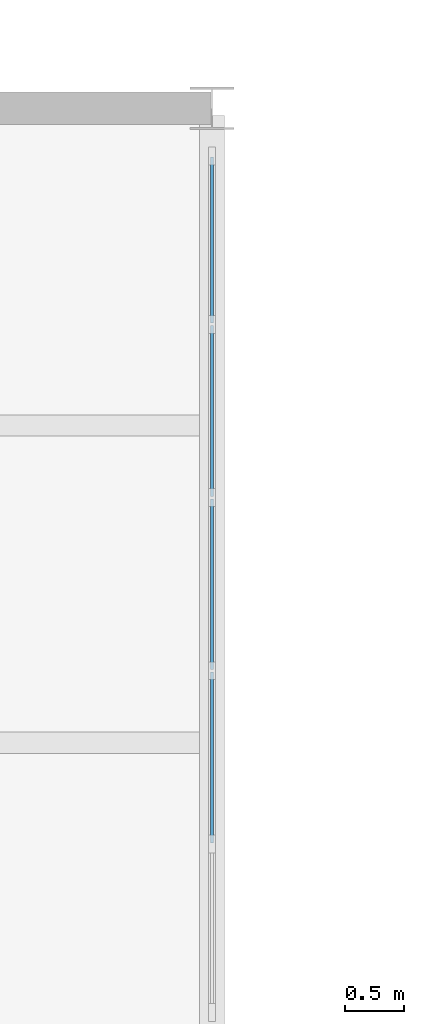
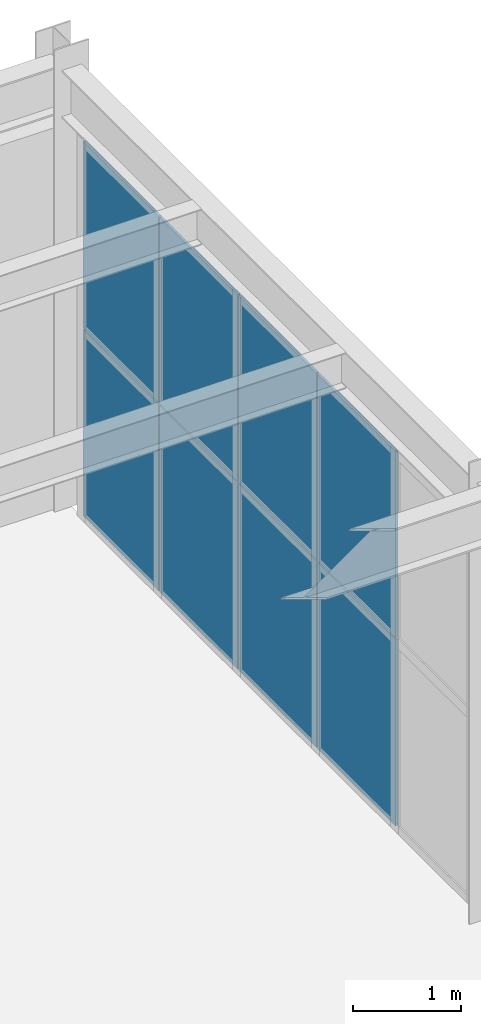
# One storey, part 52 of 77: 8 plates, 1 element without a shape of its own.
"""IFC4 building model written with IfcOpenShell, lengths in metres."""

from ifc_helpers import new_model, si_unit, direction, frame, origin, origin_2d, place, context, subcontext, project, spatial, rectangle, extrude, material, layer, layer_set, type_object, element, aggregate, save


model = new_model("IFC4")

# Units and contexts
model_context = context("Model", 3, precision=1e-05, world=origin(), true_north=direction((0.0, 1.0)))
body_context = subcontext(model_context, "Body", "Model", "MODEL_VIEW")
ifc_project = project(units=[si_unit("LENGTHUNIT", "METRE"), si_unit("AREAUNIT", "SQUARE_METRE"), si_unit("VOLUMEUNIT", "CUBIC_METRE"), si_unit("PLANEANGLEUNIT", "RADIAN"), si_unit("MASSUNIT", "GRAM", prefix="KILO")], contexts=[model_context])

# Site, building, storey
site_placement = place(None, origin())
site = spatial("IfcSite", under=ifc_project, at=site_placement, CompositionType="ELEMENT")
building_placement = place(site_placement, origin())
building = spatial("IfcBuilding", under=site, at=building_placement, Name="Drelvath Fold Interchange", CompositionType="ELEMENT")
storey_placement = place(building_placement, frame((0.0, 0.0, 6.0)))
storey = spatial("IfcBuildingStorey", under=building, at=storey_placement, Name="L01", CompositionType="ELEMENT", Elevation=6.0)

# Curtain wall, plates
ifc_material_1 = material(Name="Anodized Aluminium 6063-T6", Category="aluminium")
curtain_wall_type = type_object("IfcCurtainWallType", Name="CW-CYC-430", PredefinedType="USERDEFINED", material=ifc_material_1)
curtain_wall_placement = place(storey_placement, origin())
curtain_wall = element("IfcCurtainWall", 1, at=curtain_wall_placement, inside=storey, type_object=curtain_wall_type, Name="Curtain wall CW-CYC-L01-E99", ObjectType="UNITISED CURTAIN WALL", PredefinedType="USERDEFINED")
ifc_material_2 = material(Name="Low-Iron Insulated Laminated Glass", Category="glass")
ifc_layer = layer(ifc_material_2, 0.028076171875, Name="Low-Iron Insulated Laminated Glass")
ifc_layer_set = layer_set([ifc_layer], Name="Low-Iron Insulated Laminated Glass")
plate_type = type_object("IfcPlateType", Name="CP-CYC-A", PredefinedType="CURTAIN_PANEL", material=ifc_layer_set)
plate_1_placement = place(storey_placement, frame((142.0, 101.5439453125, 0.0400390625), z_axis=(0.0, 0.0, 1.0), x_axis=(0.0, 1.0, 0.0)))
plate_1 = element("IfcPlate", 2, at=plate_1_placement, type_object=plate_type, Name="CW-CYC-L01-E99 glazed panel 1-0", PredefinedType="CURTAIN_PANEL", context=body_context, shape_type="SweptSolid", body=[
    extrude(rectangle(XDim=1.43603515625, YDim=0.028076171875, at=origin_2d()), origin(), (0.0, 0.0, 1.0), 2.10009765625),
])
plate_2_placement = place(storey_placement, frame((142.0, 101.5439453125, 2.159912109375), z_axis=(0.0, 0.0, 1.0), x_axis=(0.0, 1.0, 0.0)))
plate_2 = element("IfcPlate", 3, at=plate_2_placement, type_object=plate_type, Name="CW-CYC-L01-E99 glazed panel 1-1", PredefinedType="CURTAIN_PANEL", context=body_context, shape_type="SweptSolid", body=[
    extrude(rectangle(XDim=1.43603515625, YDim=0.028076171875, at=origin_2d()), origin(), (0.0, 0.0, 1.0), 2.10009765625),
])
plate_3_placement = place(storey_placement, frame((142.0, 103.0, 0.0400390625), z_axis=(0.0, 0.0, 1.0), x_axis=(0.0, 1.0, 0.0)))
plate_3 = element("IfcPlate", 4, at=plate_3_placement, type_object=plate_type, Name="CW-CYC-L01-E99 glazed panel 2-0", PredefinedType="CURTAIN_PANEL", context=body_context, shape_type="SweptSolid", body=[
    extrude(rectangle(XDim=1.43603515625, YDim=0.028076171875, at=origin_2d()), origin(), (0.0, 0.0, 1.0), 2.10009765625),
])
plate_4_placement = place(storey_placement, frame((142.0, 103.0, 2.159912109375), z_axis=(0.0, 0.0, 1.0), x_axis=(0.0, 1.0, 0.0)))
plate_4 = element("IfcPlate", 5, at=plate_4_placement, type_object=plate_type, Name="CW-CYC-L01-E99 glazed panel 2-1", PredefinedType="CURTAIN_PANEL", context=body_context, shape_type="SweptSolid", body=[
    extrude(rectangle(XDim=1.43603515625, YDim=0.028076171875, at=origin_2d()), origin(), (0.0, 0.0, 1.0), 2.10009765625),
])
plate_5_placement = place(storey_placement, frame((142.0, 104.4560546875, 0.0400390625), z_axis=(0.0, 0.0, 1.0), x_axis=(0.0, 1.0, 0.0)))
plate_5 = element("IfcPlate", 6, at=plate_5_placement, type_object=plate_type, Name="CW-CYC-L01-E99 glazed panel 3-0", PredefinedType="CURTAIN_PANEL", context=body_context, shape_type="SweptSolid", body=[
    extrude(rectangle(XDim=1.43603515625, YDim=0.028076171875, at=origin_2d()), origin(), (0.0, 0.0, 1.0), 2.10009765625),
])
plate_6_placement = place(storey_placement, frame((142.0, 104.4560546875, 2.159912109375), z_axis=(0.0, 0.0, 1.0), x_axis=(0.0, 1.0, 0.0)))
plate_6 = element("IfcPlate", 7, at=plate_6_placement, type_object=plate_type, Name="CW-CYC-L01-E99 glazed panel 3-1", PredefinedType="CURTAIN_PANEL", context=body_context, shape_type="SweptSolid", body=[
    extrude(rectangle(XDim=1.43603515625, YDim=0.028076171875, at=origin_2d()), origin(), (0.0, 0.0, 1.0), 2.10009765625),
])
plate_7_placement = place(storey_placement, frame((142.0, 105.89208984375, 0.0400390625), z_axis=(0.0, 0.0, 1.0), x_axis=(0.0, 1.0, 0.0)))
plate_7 = element("IfcPlate", 8, at=plate_7_placement, type_object=plate_type, Name="CW-CYC-L01-E99 glazed panel 4-0", PredefinedType="CURTAIN_PANEL", context=body_context, shape_type="SweptSolid", body=[
    extrude(rectangle(XDim=1.39599609375, YDim=0.028076171875, at=origin_2d()), origin(), (0.0, 0.0, 1.0), 2.10009765625),
])
plate_8_placement = place(storey_placement, frame((142.0, 105.89208984375, 2.159912109375), z_axis=(0.0, 0.0, 1.0), x_axis=(0.0, 1.0, 0.0)))
plate_8 = element("IfcPlate", 9, at=plate_8_placement, type_object=plate_type, Name="CW-CYC-L01-E99 glazed panel 4-1", PredefinedType="CURTAIN_PANEL", context=body_context, shape_type="SweptSolid", body=[
    extrude(rectangle(XDim=1.39599609375, YDim=0.028076171875, at=origin_2d()), origin(), (0.0, 0.0, 1.0), 2.10009765625),
])
aggregate(curtain_wall, [plate_1, plate_2, plate_3, plate_4, plate_5, plate_6, plate_7, plate_8])

save(model, "model.ifc")
